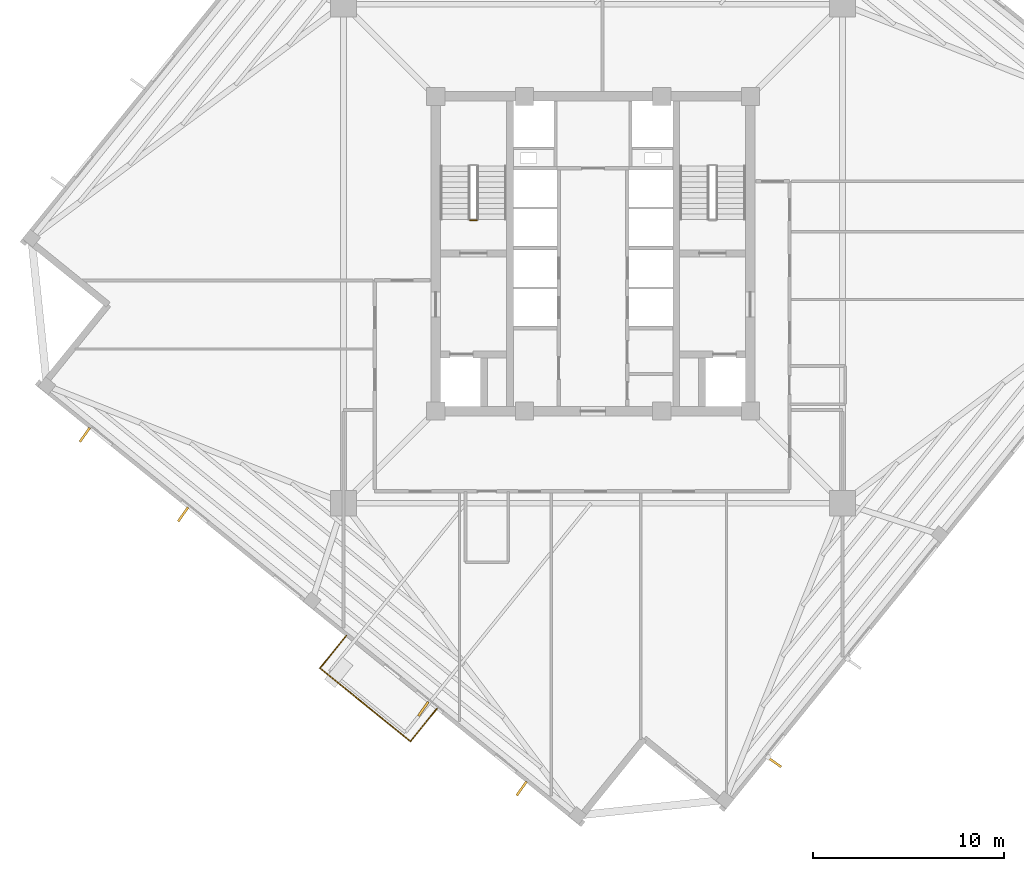
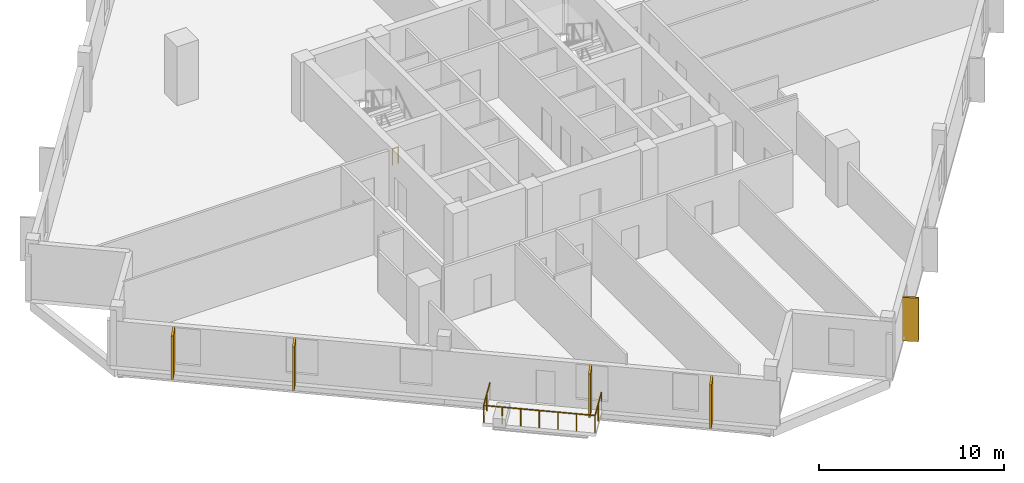
# One storey, part 7 of 10: 5 coverings, 4 railings.
"""IFC4 building model written with IfcOpenShell, lengths in metres."""

from ifc_helpers import new_model, si_unit, direction, frame, origin, origin_2d, place, context, subcontext, project, spatial, rectangle, circle, extrude, source, transform, mapped, material, layer, layer_set, type_object, element, save


model = new_model("IFC4")

# Units and contexts
model_context = context("Model", 3, precision=1e-05, world=origin(), true_north=direction((0.0, 1.0)))
body_context = subcontext(model_context, "Body", "Model", "MODEL_VIEW")
ifc_project = project(units=[si_unit("LENGTHUNIT", "METRE"), si_unit("AREAUNIT", "SQUARE_METRE"), si_unit("VOLUMEUNIT", "CUBIC_METRE"), si_unit("PLANEANGLEUNIT", "RADIAN"), si_unit("MASSUNIT", "GRAM", prefix="KILO"), si_unit("THERMODYNAMICTEMPERATUREUNIT", "KELVIN")], contexts=[model_context])

# Site, building, storey
site_placement = place(None, origin())
site = spatial("IfcSite", under=ifc_project, at=site_placement, CompositionType="ELEMENT")
building_placement = place(site_placement, origin())
building = spatial("IfcBuilding", under=site, at=building_placement, Name="Kosmvard Interchange Tower", CompositionType="ELEMENT")
storey_placement = place(building_placement, frame((0.0, 0.0, 205.60009765625)))
storey = spatial("IfcBuildingStorey", under=building, at=storey_placement, Name="L49", CompositionType="ELEMENT", Elevation=205.60009765625)

# Coverings
ifc_material_1 = material(Name="Architectural anodised aluminium", Category="aluminium")
ifc_layer = layer(ifc_material_1, 0.1201171875, Name="Architectural anodised aluminium")
ifc_layer_set = layer_set([ifc_layer], Name="Architectural anodised aluminium")
covering_type = type_object("IfcCoveringType", Name="Rotating Vertical Sun-Breaker Fin 900x120 Aluminium", PredefinedType="CLADDING", material=ifc_layer_set)
shared_shape_1 = source(origin(), body_context, "Body", "SweptSolid", [
    extrude(rectangle(XDim=0.89990234375, YDim=0.1201171875, at=origin_2d()), origin(), (0.0, 0.0, 1.0), 2.8798828125),
])
for number, where, z_axis, x_axis, name in (
    (1, (9.494384765625, -26.650146484375, 0.0400390625), (0.0, 0.0, 1.0), (0.817446605564, -0.576004381105, 0.0), "L49 Rotating Vertical Sun-Breaker Fin 01"),
    (2, (-26.650146484375, -9.494384765625, 0.0400390625), (0.0, 0.0, 1.0), (-0.576004381105, -0.817446605564, 0.0), "L49 Rotating Vertical Sun-Breaker Fin 13"),
    (3, (-21.49658203125, -13.66748046875, 0.0400390625), (0.0, 0.0, 1.0), (-0.576004381105, -0.817446605564, 0.0), "L49 Rotating Vertical Sun-Breaker Fin 14"),
    (4, (-8.8994140625, -23.86865234375, 0.0400390625), (0.0, 0.0, 1.0), (-0.576004381105, -0.817446605564, 0.0), "L49 Rotating Vertical Sun-Breaker Fin 15"),
    (5, (-3.74609375, -28.041748046875, 0.0400390625), (0.0, 0.0, 1.0), (-0.576004381105, -0.817446605564, 0.0), "L49 Rotating Vertical Sun-Breaker Fin 16"),
):
    element("IfcCovering", number, at=place(storey_placement, frame(where, z_axis=z_axis, x_axis=x_axis)), inside=storey, type_object=covering_type, Name=name, PredefinedType="CLADDING", context=body_context, shape_type="MappedRepresentation", body=[
        mapped(shared_shape_1, transform((0.0, 0.0, 0.0), scale=1.0)),
    ])

# Railings
ifc_material_2 = material(Name="Steel S355", Category="steel")
railing_type_1 = type_object("IfcRailingType", Name="Observation & Balcony Glass-Infill Balustrade 1150", PredefinedType="BALUSTRADE", material=ifc_material_2)
shared_shape_2 = source(origin(), body_context, "Body", "SweptSolid", [
    extrude(circle(Radius=0.02392578125, at=origin_2d()), frame((0.0, 0.0, 1.1259765625), z_axis=(0.629325914736, 0.777141488432, 0.0), x_axis=(-0.777141488432, 0.629325914736, 0.0)), (0.0, 0.0, 1.0), 2.199951171875),
    extrude(circle(Radius=0.02099609375, at=origin_2d()), origin(), (0.0, 0.0, 1.0), 1.101806640625),
    extrude(circle(Radius=0.02099609375, at=origin_2d()), frame((0.6923828125, 0.85498046875, 0.0)), (0.0, 0.0, 1.0), 1.101806640625),
    extrude(circle(Radius=0.02099609375, at=origin_2d()), frame((1.384521484375, 1.709716796875, 0.0)), (0.0, 0.0, 1.0), 1.101806640625),
])
railing_1_placement = place(storey_placement, frame((-9.5771484375, -25.57177734375, 0.0)))
element("IfcRailing", 6, at=railing_1_placement, inside=storey, type_object=railing_type_1, Name="L49 Outdoor Terrace Guard BAL-L49-W-C", PredefinedType="BALUSTRADE", context=body_context, shape_type="MappedRepresentation", body=[
    mapped(shared_shape_2, transform((0.0, 0.0, 0.0), scale=1.0)),
])
shared_shape_3 = source(origin(), body_context, "Body", "SweptSolid", [
    extrude(circle(Radius=0.02392578125, at=origin_2d()), frame((0.0, 0.0, 1.1259765625), z_axis=(-0.629325914736, -0.777141488432, 0.0), x_axis=(0.777141488432, -0.629325914736, 0.0)), (0.0, 0.0, 1.0), 2.199951171875),
    extrude(circle(Radius=0.02099609375, at=origin_2d()), origin(), (0.0, 0.0, 1.0), 1.101806640625),
    extrude(circle(Radius=0.02099609375, at=origin_2d()), frame((-0.6923828125, -0.85498046875, 0.0)), (0.0, 0.0, 1.0), 1.101806640625),
    extrude(circle(Radius=0.02099609375, at=origin_2d()), frame((-1.384521484375, -1.709716796875, 0.0)), (0.0, 0.0, 1.0), 1.101806640625),
])
railing_2_placement = place(storey_placement, frame((-12.93310546875, -20.023193359375, 0.0)))
element("IfcRailing", 7, at=railing_2_placement, inside=storey, type_object=railing_type_1, Name="L49 Outdoor Terrace Guard BAL-L49-W-A", PredefinedType="BALUSTRADE", context=body_context, shape_type="MappedRepresentation", body=[
    mapped(shared_shape_3, transform((0.0, 0.0, 0.0), scale=1.0)),
])
shared_shape_4 = source(origin(), body_context, "Body", "SweptSolid", [
    extrude(circle(Radius=0.02392578125, at=origin_2d()), frame((0.0, 0.0, 1.1259765625), z_axis=(0.777137673017, -0.629330626282, 0.0), x_axis=(0.629330626282, 0.777137673017, 0.0)), (0.0, 0.0, 1.0), 6.099853515625),
    extrude(circle(Radius=0.02099609375, at=origin_2d()), origin(), (0.0, 0.0, 1.0), 1.101806640625),
    extrude(circle(Radius=0.02099609375, at=origin_2d()), frame((0.7900390625, -0.639892578125, 0.0)), (0.0, 0.0, 1.0), 1.101806640625),
    extrude(circle(Radius=0.02099609375, at=origin_2d()), frame((1.580078125, -1.279541015625, 0.0)), (0.0, 0.0, 1.0), 1.101806640625),
    extrude(circle(Radius=0.02099609375, at=origin_2d()), frame((2.3701171875, -1.91943359375, 0.0)), (0.0, 0.0, 1.0), 1.101806640625),
    extrude(circle(Radius=0.02099609375, at=origin_2d()), frame((3.160400390625, -2.559326171875, 0.0)), (0.0, 0.0, 1.0), 1.101806640625),
    extrude(circle(Radius=0.02099609375, at=origin_2d()), frame((3.950439453125, -3.198974609375, 0.0)), (0.0, 0.0, 1.0), 1.101806640625),
    extrude(circle(Radius=0.02099609375, at=origin_2d()), frame((4.740478515625, -3.8388671875, 0.0)), (0.0, 0.0, 1.0), 1.101806640625),
])
railing_3_placement = place(storey_placement, frame((-14.317626953125, -21.73291015625, 0.0)))
element("IfcRailing", 8, at=railing_3_placement, inside=storey, type_object=railing_type_1, Name="L49 Outdoor Terrace Guard BAL-L49-W-B", PredefinedType="BALUSTRADE", context=body_context, shape_type="MappedRepresentation", body=[
    mapped(shared_shape_4, transform((0.0, 0.0, 0.0), scale=1.0)),
])
railing_type_2 = type_object("IfcRailingType", Name="Stair & Terrace Safety Guardrail 1100 Steel", PredefinedType="GUARDRAIL", material=ifc_material_2)
shared_shape_5 = source(origin(), body_context, "Body", "SweptSolid", [
    extrude(circle(Radius=0.02392578125, at=origin_2d()), frame((0.0, 0.0, 1.076171875), z_axis=(-1.0, 0.0, 0.0), x_axis=(0.0, -1.0, 0.0)), (0.0, 0.0, 1.0), 0.35986328125),
    extrude(circle(Radius=0.02099609375, at=origin_2d()), origin(), (0.0, 0.0, 1.0), 1.052001953125),
    extrude(circle(Radius=0.02099609375, at=origin_2d()), frame((-0.35986328125, 0.0, 0.0)), (0.0, 0.0, 1.0), 1.052001953125),
])
railing_4_placement = place(storey_placement, frame((-6.090087890625, 1.75, 0.0)))
element("IfcRailing", 9, at=railing_4_placement, inside=storey, type_object=railing_type_2, Name="L49 ST-1 stair guard 4", PredefinedType="GUARDRAIL", context=body_context, shape_type="MappedRepresentation", body=[
    mapped(shared_shape_5, transform((0.0, 0.0, 0.0), scale=1.0)),
])

save(model, "model.ifc")
